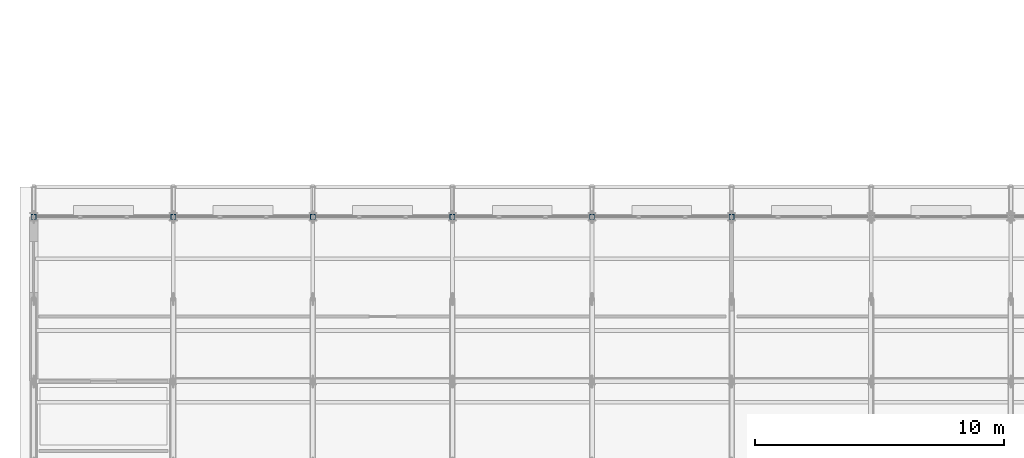
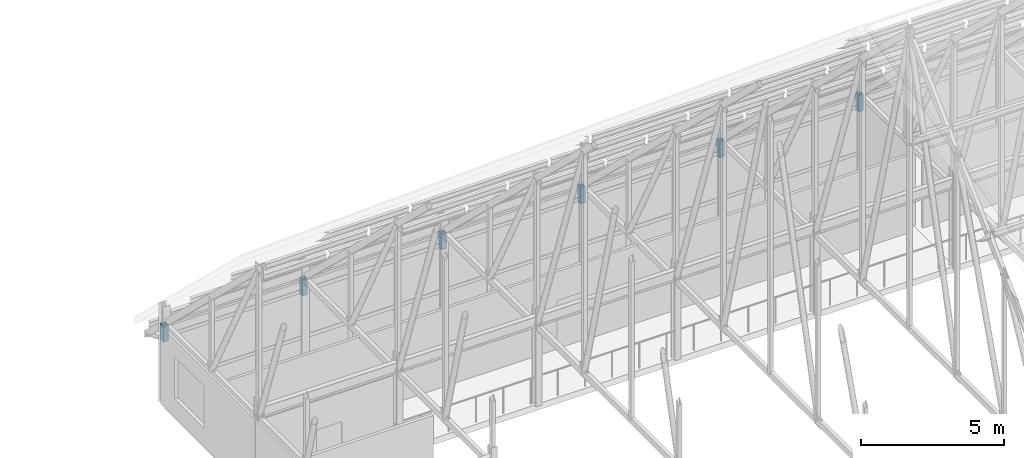
# One storey, part 88 of 144: 6 members.
"""IFC4 building model written with IfcOpenShell, lengths in metres."""

from ifc_helpers import new_model, si_unit, direction, frame, origin, origin_2d, place, context, subcontext, project, spatial, hollow_rectangle, extrude, material, material_profile, profile_set, type_object, element, save


model = new_model("IFC4")

# Units and contexts
model_context = context("Model", 3, precision=1e-05, world=origin(), true_north=direction((0.0, 1.0)))
body_context = subcontext(model_context, "Body", "Model", "MODEL_VIEW")
ifc_project = project(units=[si_unit("LENGTHUNIT", "METRE"), si_unit("AREAUNIT", "SQUARE_METRE"), si_unit("VOLUMEUNIT", "CUBIC_METRE"), si_unit("PLANEANGLEUNIT", "RADIAN"), si_unit("MASSUNIT", "GRAM", prefix="KILO")], contexts=[model_context])

# Site, building, storey
site_placement = place(None, origin())
site = spatial("IfcSite", under=ifc_project, at=site_placement, CompositionType="ELEMENT")
building_placement = place(site_placement, origin())
building = spatial("IfcBuilding", under=site, at=building_placement, Name="Trelmorton Wharf Fire Station", CompositionType="ELEMENT")
storey_placement = place(building_placement, frame((0.0, 0.0, 5.39990234375)))
storey = spatial("IfcBuildingStorey", under=building, at=storey_placement, Name="L01", CompositionType="ELEMENT", Elevation=5.39990234375)

# Members
ifc_material = material(Name="Steel C350L0 (350 MPa)", Category="steel")
ifc_material_profile = material_profile(ifc_material, hollow_rectangle(XDim=0.199951171875, YDim=0.199951171875, WallThickness=0.010009765625, at=origin_2d()), Name="200x200x10.0SHS")
ifc_profile_set = profile_set([ifc_material_profile], Name="Steel C350L0 (350 MPa)")
member_type = type_object("IfcMemberType", Name="TR_POST_200SHS", PredefinedType="POST", material=ifc_profile_set)
for number, where, z_axis, x_axis, name in (
    (1, (0.800048828125, 34.199951171875, 2.650146484375), (0.0, 0.0, 1.0), (1.0, 0.0, 0.0), "V1-TR01-SHN"),
    (2, (6.39990234375, 34.199951171875, 2.650146484375), (0.0, 0.0, 1.0), (1.0, 0.0, 0.0), "V1-TR02-SHN"),
    (3, (12.0, 34.199951171875, 2.650146484375), (0.0, 0.0, 1.0), (1.0, 0.0, 0.0), "V1-TR03-SHN"),
    (4, (17.60009765625, 34.199951171875, 2.650146484375), (0.0, 0.0, 1.0), (1.0, 0.0, 0.0), "V1-TR04-SHN"),
    (5, (23.199951171875, 34.199951171875, 2.650146484375), (0.0, 0.0, 1.0), (1.0, 0.0, 0.0), "V1-TR05-SHN"),
    (6, (28.800048828125, 34.199951171875, 2.650146484375), (0.0, 0.0, 1.0), (1.0, 0.0, 0.0), "V1-TR06-SHN"),
):
    element("IfcMember", number, at=place(storey_placement, frame(where, z_axis=z_axis, x_axis=x_axis)), inside=storey, type_object=member_type, Name=name, PredefinedType="POST", context=body_context, shape_type="SweptSolid", body=[
        extrude(hollow_rectangle(XDim=0.199951171875, YDim=0.199951171875, WallThickness=0.010009765625, at=origin_2d()), origin(), (0.0, 0.0, 1.0), 0.70166015625),
    ])

save(model, "model.ifc")
